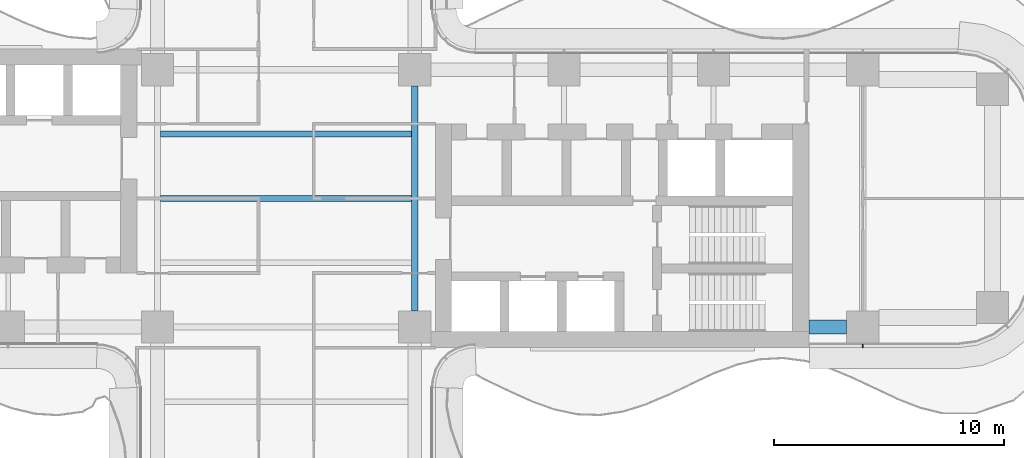
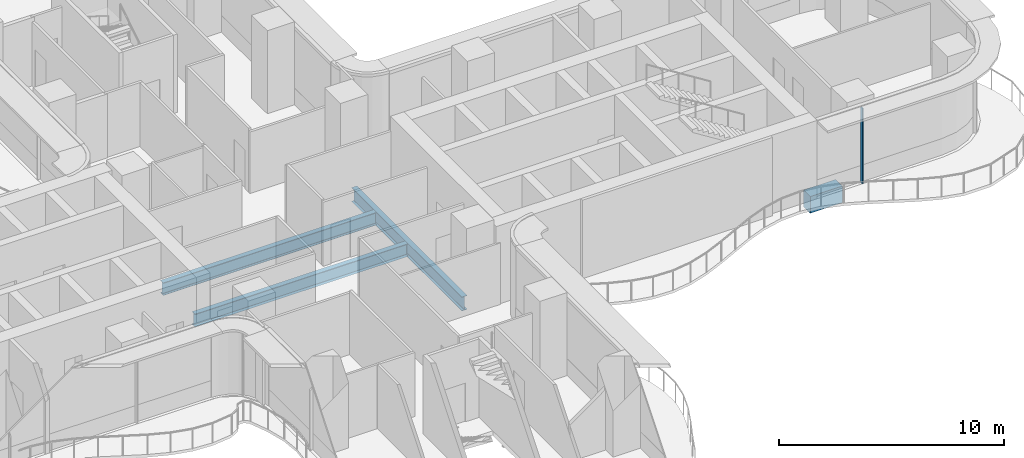
# One storey, part 6 of 22: 4 beams, 1 member, 1 element without a shape of its own.
"""IFC4 building model written with IfcOpenShell, lengths in metres."""

from ifc_helpers import new_model, si_unit, direction, frame, origin, origin_2d, place, context, subcontext, project, spatial, rectangle, i_section, extrude, source, transform, mapped, material, layer, layer_set, material_profile, profile_set, type_object, element, aggregate, save


model = new_model("IFC4")

# Units and contexts
model_context = context("Model", 3, precision=1e-05, world=origin(), true_north=direction((0.0, 1.0)))
body_context = subcontext(model_context, "Body", "Model", "MODEL_VIEW")
ifc_project = project(units=[si_unit("LENGTHUNIT", "METRE"), si_unit("AREAUNIT", "SQUARE_METRE"), si_unit("VOLUMEUNIT", "CUBIC_METRE"), si_unit("PLANEANGLEUNIT", "RADIAN"), si_unit("MASSUNIT", "GRAM", prefix="KILO")], contexts=[model_context])

# Site, building, storey
site_placement = place(None, origin())
site = spatial("IfcSite", under=ifc_project, at=site_placement, CompositionType="ELEMENT")
building_placement = place(site_placement, origin())
building = spatial("IfcBuilding", under=site, at=building_placement, Name="Trellis Farm Tower", CompositionType="ELEMENT")
storey_placement = place(building_placement, frame((0.0, 0.0, 61.0)))
storey = spatial("IfcBuildingStorey", under=building, at=storey_placement, Name="L12", CompositionType="ELEMENT", Elevation=61.0)

# Beams
ifc_material_1 = material(Name="Steel S355", Category="steel")
ifc_material_profile_1 = material_profile(ifc_material_1, i_section(OverallWidth=0.253662109375, OverallDepth=0.68359375, WebThickness=0.012451171875, FlangeThickness=0.021728515625, FilletRadius=0.01513671875, at=origin_2d()), Name="UB 686x254x140")
ifc_profile_set_1 = profile_set([ifc_material_profile_1], Name="Steel S355")
beam_type_1 = type_object("IfcBeamType", Name="UB 686x254x140 joist", PredefinedType="JOIST", material=ifc_profile_set_1)
shared_shape_1 = source(origin(), body_context, "Body", "SweptSolid", [
    extrude(i_section(OverallWidth=0.253662109375, OverallDepth=0.68359375, WebThickness=0.012451171875, FlangeThickness=0.021728515625, FilletRadius=0.01513671875, at=origin_2d()), origin(), (0.0, 0.0, 1.0), 10.93310546875),
])
for number, where, z_axis, x_axis, name in (
    (1, (-5.466552734375, 0.0, -0.591796875), (1.0, 0.0, 0.0), (0.0, 1.0, 0.0), "Floor beam"),
    (2, (-5.466552734375, 2.800048828125, -0.591796875), (1.0, 0.0, 0.0), (0.0, 1.0, 0.0), "Floor beam"),
):
    element("IfcBeam", number, at=place(storey_placement, frame(where, z_axis=z_axis, x_axis=x_axis)), inside=storey, type_object=beam_type_1, Name=name, PredefinedType="JOIST", context=body_context, shape_type="MappedRepresentation", body=[
        mapped(shared_shape_1, transform((0.0, 0.0, 0.0))),
    ])
ifc_material_profile_2 = material_profile(ifc_material_1, i_section(OverallWidth=0.2666015625, OverallDepth=0.76220703125, WebThickness=0.014404296875, FlangeThickness=0.021484375, FilletRadius=0.0166015625, at=origin_2d()), Name="UB 762x267x173")
ifc_profile_set_2 = profile_set([ifc_material_profile_2], Name="Steel S355")
beam_type_2 = type_object("IfcBeamType", Name="UB 762x267x173", PredefinedType="BEAM", material=ifc_profile_set_2)
shared_shape_2 = source(origin(), body_context, "Body", "SweptSolid", [
    extrude(i_section(OverallWidth=0.2666015625, OverallDepth=0.76220703125, WebThickness=0.014404296875, FlangeThickness=0.021484375, FilletRadius=0.0166015625, at=origin_2d()), origin(), (0.0, 0.0, 1.0), 9.7998046875),
])
beam_1_placement = place(storey_placement, frame((5.60009765625, -4.89990234375, -0.631103515625), z_axis=(0.0, 1.0, 0.0), x_axis=(-1.0, 0.0, 0.0)))
element("IfcBeam", 3, at=beam_1_placement, inside=storey, type_object=beam_type_2, Name="Girder", PredefinedType="BEAM", context=body_context, shape_type="MappedRepresentation", body=[
    mapped(shared_shape_2, transform((0.0, 0.0, 0.0))),
])
ifc_material_2 = material(Name="Concrete C60/75", Category="concrete")
ifc_material_profile_3 = material_profile(ifc_material_2, rectangle(XDim=0.60009765625, YDim=0.89990234375, at=origin_2d()), Name="RC spandrel beam 600x900 C60/75")
ifc_profile_set_3 = profile_set([ifc_material_profile_3], Name="Concrete C60/75")
beam_type_3 = type_object("IfcBeamType", Name="RC spandrel beam 600x900 C60/75", PredefinedType="SPANDREL", material=ifc_profile_set_3)
shared_shape_3 = source(origin(), body_context, "Body", "SweptSolid", [
    extrude(rectangle(XDim=0.60009765625, YDim=0.89990234375, at=origin_2d()), origin(), (0.0, 0.0, 1.0), 1.64990234375),
])
beam_2_placement = place(storey_placement, frame((22.75, -5.60009765625, -0.699951171875), z_axis=(1.0, 0.0, 0.0), x_axis=(0.0, 1.0, 0.0)))
element("IfcBeam", 4, at=beam_2_placement, inside=storey, type_object=beam_type_3, Name="Girder", PredefinedType="SPANDREL", context=body_context, shape_type="MappedRepresentation", body=[
    mapped(shared_shape_3, transform((0.0, 0.0, 0.0))),
])

# Curtain wall, member
ifc_material_3 = material(Name="Aluminium and glass curtain wall", Category="aluminium")
ifc_layer = layer(ifc_material_3, 0.18994140625)
ifc_layer_set = layer_set([ifc_layer], Name="RIBBON CURTAIN WALL CW1")
curtain_wall_type = type_object("IfcCurtainWallType", Name="RIBBON CURTAIN WALL CW1", PredefinedType="NOTDEFINED", material=ifc_layer_set)
curtain_wall_placement = place(storey_placement, origin())
curtain_wall = element("IfcCurtainWall", 5, at=curtain_wall_placement, inside=storey, type_object=curtain_wall_type, Name="CW1 006", PredefinedType="NOTDEFINED")
ifc_material_4 = material(Name="Aluminium extrusion 6063-T6", Category="aluminium")
ifc_material_profile_4 = material_profile(ifc_material_4, rectangle(XDim=0.06005859375, YDim=0.14990234375, at=origin_2d()), Name="MULLION 60x150")
ifc_profile_set_4 = profile_set([ifc_material_profile_4], Name="Aluminium extrusion 6063-T6")
member_type = type_object("IfcMemberType", Name="CW1 MULLION 60x150", PredefinedType="MULLION", material=ifc_profile_set_4)
shared_shape_4 = source(origin(), body_context, "Body", "SweptSolid", [
    extrude(rectangle(XDim=0.06005859375, YDim=0.14990234375, at=origin_2d()), origin(), (0.0, 0.0, 1.0), 4.070068359375),
])
member_placement = place(storey_placement, frame((25.10009765625, -6.425048828125, 0.0), z_axis=(0.0, 0.0, 1.0), x_axis=(1.0, 0.0, 0.0)))
member = element("IfcMember", 6, at=member_placement, type_object=member_type, Name="MU1 006-01", PredefinedType="MULLION", context=body_context, shape_type="MappedRepresentation", body=[
    mapped(shared_shape_4, transform((0.0, 0.0, 0.0))),
])
aggregate(curtain_wall, [member])

save(model, "model.ifc")
